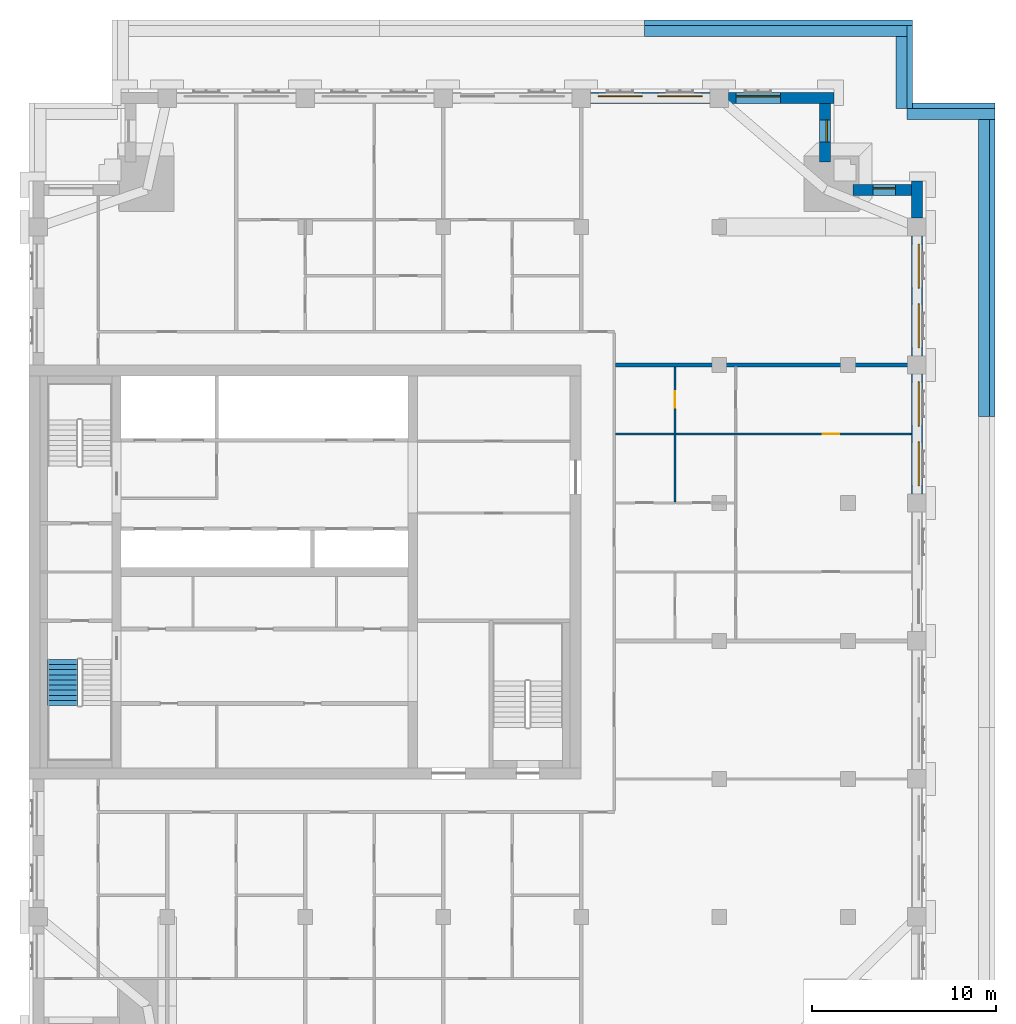
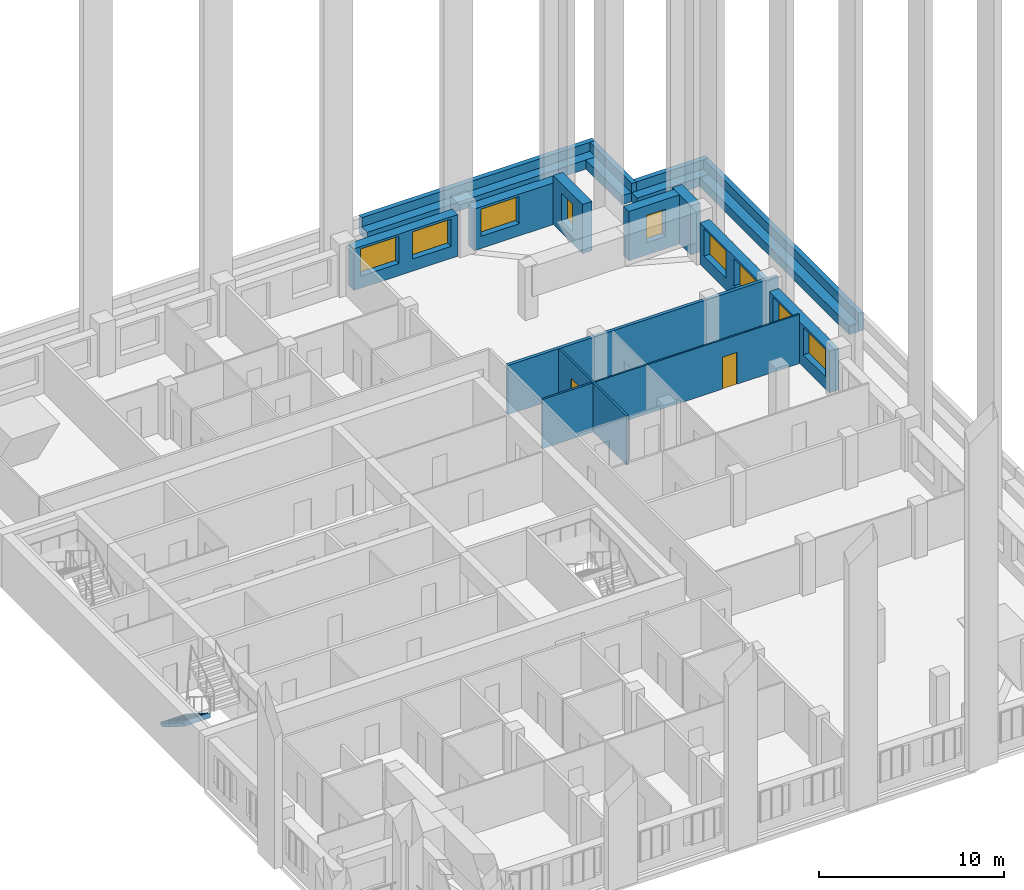
# One storey, part 8 of 12: 19 walls, 9 windows, 2 doors, 1 stair flight, 11 openings, 1 element without a shape of its own.
"""IFC4 building model written with IfcOpenShell, lengths in metres."""

from ifc_helpers import new_model, si_unit, direction, frame, frame_2d, origin, place, context, subcontext, project, spatial, polyline, rectangle, outline, extrude, material, layer, layer_set, type_object, element, fill, aggregate, save


model = new_model("IFC4")

# Units and contexts
model_context = context("Model", 3, precision=1e-05, world=origin(), true_north=direction((0.0, 1.0)))
body_context = subcontext(model_context, "Body", "Model", "MODEL_VIEW")
ifc_project = project(units=[si_unit("LENGTHUNIT", "METRE"), si_unit("AREAUNIT", "SQUARE_METRE"), si_unit("VOLUMEUNIT", "CUBIC_METRE"), si_unit("PLANEANGLEUNIT", "RADIAN"), si_unit("MASSUNIT", "GRAM", prefix="KILO")], contexts=[model_context])

# Site, building, storey
site_placement = place(None, origin())
site = spatial("IfcSite", under=ifc_project, at=site_placement, CompositionType="ELEMENT")
building_placement = place(site_placement, origin())
building = spatial("IfcBuilding", under=site, at=building_placement, Name="Tamorin Gate", CompositionType="ELEMENT")
storey_placement = place(building_placement, frame((0.0, 0.0, 219.699951171875)))
storey = spatial("IfcBuildingStorey", under=building, at=storey_placement, Name="L54", CompositionType="ELEMENT", Elevation=219.699951171875)

# Wall, openings, windows
ifc_material_1 = material(Name="Precast concrete C40/50", Category="concrete")
ifc_layer_1 = layer(ifc_material_1, 0.60009765625)
ifc_layer_set_1 = layer_set([ifc_layer_1], Name="Precast concrete C40/50")
wall_type_1 = type_object("IfcWallType", Name="Board-marked concrete facade panel 600", PredefinedType="SOLIDWALL", material=ifc_layer_set_1)
wall_1_placement = place(storey_placement, frame((78.25, 75.5, 0.0), z_axis=(0.0, 0.0, 1.0), x_axis=(0.0, 1.0, 0.0)))
wall_1 = element("IfcWall", 1, at=wall_1_placement, inside=storey, type_object=wall_type_1, Name="Facade panel", PredefinedType="SOLIDWALL", context=body_context, shape_type="SweptSolid", body=[
    extrude(rectangle(XDim=6.5, YDim=0.60009765625, at=frame_2d((3.25, 0.0))), origin(), (0.0, 0.0, 1.0), 2.75),
])
opening_1_placement = place(wall_1_placement, frame((0.425048828125, 0.0, 0.800048828125)))
opening_1 = element("IfcOpeningElement", 2, at=opening_1_placement, cuts=wall_1, Name="Opening WN1", PredefinedType="OPENING", context=body_context, shape_type="SweptSolid", body=[
    extrude(rectangle(XDim=2.39990234375, YDim=1.800048828125, at=frame_2d((1.199951171875, 0.89990234375))), frame((0.0, 0.31005859375, 0.0), z_axis=(0.0, -1.0, 0.0), x_axis=(1.0, 0.0, 0.0)), (0.0, 0.0, 1.0), 0.6201171875),
])
opening_2_placement = place(wall_1_placement, frame((3.675048828125, 0.0, 0.800048828125)))
opening_2 = element("IfcOpeningElement", 3, at=opening_2_placement, cuts=wall_1, Name="Opening WN1", PredefinedType="OPENING", context=body_context, shape_type="SweptSolid", body=[
    extrude(rectangle(XDim=2.39990234375, YDim=1.800048828125, at=frame_2d((1.199951171875, 0.89990234375))), frame((0.0, 0.31005859375, 0.0), z_axis=(0.0, -1.0, 0.0), x_axis=(1.0, 0.0, 0.0)), (0.0, 0.0, 1.0), 0.6201171875),
])
ifc_material_2 = material(Name="Clear glass in aluminium frame", Category="aluminium")
window_type_1 = type_object("IfcWindowType", Name="Deep-set window 2400x1800", PartitioningType="SINGLE_PANEL", PredefinedType="WINDOW", material=ifc_material_2)
window_1_placement = place(opening_1_placement, origin())
window_1 = element("IfcWindow", 4, at=window_1_placement, inside=storey, type_object=window_type_1, Name="Deep-set window", OverallHeight=1.800048828125, OverallWidth=2.39990234375, PartitioningType="SINGLE_PANEL", PredefinedType="WINDOW", context=body_context, shape_type="SweptSolid", body=[
    extrude(rectangle(XDim=2.39990234375, YDim=1.800048828125, at=frame_2d((1.199951171875, 0.89990234375))), frame((0.0, -0.070068359375, 0.0), z_axis=(0.0, -1.0, 0.0), x_axis=(1.0, 0.0, 0.0)), (0.0, 0.0, 1.0), 0.06005859375),
])
fill(opening_1, window_1)
window_2_placement = place(opening_2_placement, origin())
window_2 = element("IfcWindow", 5, at=window_2_placement, inside=storey, type_object=window_type_1, Name="Deep-set window", OverallHeight=1.800048828125, OverallWidth=2.39990234375, PartitioningType="SINGLE_PANEL", PredefinedType="WINDOW", context=body_context, shape_type="SweptSolid", body=[
    extrude(rectangle(XDim=2.39990234375, YDim=1.800048828125, at=frame_2d((1.199951171875, 0.89990234375))), frame((0.0, -0.070068359375, 0.0), z_axis=(0.0, -1.0, 0.0), x_axis=(1.0, 0.0, 0.0)), (0.0, 0.0, 1.0), 0.06005859375),
])
fill(opening_2, window_2)

wall_2_placement = place(storey_placement, frame((78.25, 83.0, 0.0), z_axis=(0.0, 0.0, 1.0), x_axis=(0.0, 1.0, 0.0)))
wall_2 = element("IfcWall", 6, at=wall_2_placement, inside=storey, type_object=wall_type_1, Name="Facade panel", PredefinedType="SOLIDWALL", context=body_context, shape_type="SweptSolid", body=[
    extrude(rectangle(XDim=6.5, YDim=0.60009765625, at=frame_2d((3.25, 0.0))), origin(), (0.0, 0.0, 1.0), 2.75),
])
opening_3_placement = place(wall_2_placement, frame((0.425048828125, 0.0, 0.800048828125)))
opening_3 = element("IfcOpeningElement", 7, at=opening_3_placement, cuts=wall_2, Name="Opening WN1", PredefinedType="OPENING", context=body_context, shape_type="SweptSolid", body=[
    extrude(rectangle(XDim=2.39990234375, YDim=1.800048828125, at=frame_2d((1.199951171875, 0.89990234375))), frame((0.0, 0.31005859375, 0.0), z_axis=(0.0, -1.0, 0.0), x_axis=(1.0, 0.0, 0.0)), (0.0, 0.0, 1.0), 0.6201171875),
])
opening_4_placement = place(wall_2_placement, frame((3.675048828125, 0.0, 0.800048828125)))
opening_4 = element("IfcOpeningElement", 8, at=opening_4_placement, cuts=wall_2, Name="Opening WN1", PredefinedType="OPENING", context=body_context, shape_type="SweptSolid", body=[
    extrude(rectangle(XDim=2.39990234375, YDim=1.800048828125, at=frame_2d((1.199951171875, 0.89990234375))), frame((0.0, 0.31005859375, 0.0), z_axis=(0.0, -1.0, 0.0), x_axis=(1.0, 0.0, 0.0)), (0.0, 0.0, 1.0), 0.6201171875),
])
window_3_placement = place(opening_3_placement, origin())
window_3 = element("IfcWindow", 9, at=window_3_placement, inside=storey, type_object=window_type_1, Name="Deep-set window", OverallHeight=1.800048828125, OverallWidth=2.39990234375, PartitioningType="SINGLE_PANEL", PredefinedType="WINDOW", context=body_context, shape_type="SweptSolid", body=[
    extrude(rectangle(XDim=2.39990234375, YDim=1.800048828125, at=frame_2d((1.199951171875, 0.89990234375))), frame((0.0, -0.070068359375, 0.0), z_axis=(0.0, -1.0, 0.0), x_axis=(1.0, 0.0, 0.0)), (0.0, 0.0, 1.0), 0.06005859375),
])
fill(opening_3, window_3)
window_4_placement = place(opening_4_placement, origin())
window_4 = element("IfcWindow", 10, at=window_4_placement, inside=storey, type_object=window_type_1, Name="Deep-set window", OverallHeight=1.800048828125, OverallWidth=2.39990234375, PartitioningType="SINGLE_PANEL", PredefinedType="WINDOW", context=body_context, shape_type="SweptSolid", body=[
    extrude(rectangle(XDim=2.39990234375, YDim=1.800048828125, at=frame_2d((1.199951171875, 0.89990234375))), frame((0.0, -0.070068359375, 0.0), z_axis=(0.0, -1.0, 0.0), x_axis=(1.0, 0.0, 0.0)), (0.0, 0.0, 1.0), 0.06005859375),
])
fill(opening_4, window_4)

# Wall
wall_3_placement = place(storey_placement, frame((78.25, 90.5, 0.0), z_axis=(0.0, 0.0, 1.0), x_axis=(0.0, 1.0, 0.0)))
element("IfcWall", 11, at=wall_3_placement, inside=storey, type_object=wall_type_1, Name="Facade panel", PredefinedType="SOLIDWALL", context=body_context, shape_type="SweptSolid", body=[
    extrude(rectangle(XDim=2.0, YDim=0.60009765625, at=frame_2d((1.0, 0.0))), origin(), (0.0, 0.0, 1.0), 3.25),
])

# Wall, opening, window
wall_4_placement = place(storey_placement, frame((77.949951171875, 92.0, 0.0), z_axis=(0.0, 0.0, 1.0), x_axis=(-1.0, 0.0, 0.0)))
wall_4 = element("IfcWall", 12, at=wall_4_placement, inside=storey, type_object=wall_type_1, Name="Facade panel", PredefinedType="SOLIDWALL", context=body_context, shape_type="SweptSolid", body=[
    extrude(rectangle(XDim=3.168701171875, YDim=0.60009765625, at=frame_2d((1.58447265625, 0.0))), origin(), (0.0, 0.0, 1.0), 3.25),
])
opening_5_placement = place(wall_4_placement, frame((0.875, 0.0, 0.800048828125)))
opening_5 = element("IfcOpeningElement", 13, at=opening_5_placement, cuts=wall_4, Name="Opening WN3", PredefinedType="OPENING", context=body_context, shape_type="SweptSolid", body=[
    extrude(rectangle(XDim=1.199951171875, YDim=1.800048828125, at=frame_2d((0.60009765625, 0.89990234375))), frame((0.0, 0.31005859375, 0.0), z_axis=(0.0, -1.0, 0.0), x_axis=(1.0, 0.0, 0.0)), (0.0, 0.0, 1.0), 0.6201171875),
])
window_type_2 = type_object("IfcWindowType", Name="Deep-set window 1200x1800", PartitioningType="SINGLE_PANEL", PredefinedType="WINDOW", material=ifc_material_2)
window_5_placement = place(opening_5_placement, origin())
window_5 = element("IfcWindow", 14, at=window_5_placement, inside=storey, type_object=window_type_2, Name="Deep-set window", OverallHeight=1.800048828125, OverallWidth=1.199951171875, PartitioningType="SINGLE_PANEL", PredefinedType="WINDOW", context=body_context, shape_type="SweptSolid", body=[
    extrude(rectangle(XDim=1.199951171875, YDim=1.800048828125, at=frame_2d((0.60009765625, 0.89990234375))), frame((0.0, -0.070068359375, 0.0), z_axis=(0.0, -1.0, 0.0), x_axis=(1.0, 0.0, 0.0)), (0.0, 0.0, 1.0), 0.06005859375),
])
fill(opening_5, window_5)

wall_5_placement = place(storey_placement, frame((73.25, 93.53125, 0.0), z_axis=(0.0, 0.0, 1.0), x_axis=(0.0, 1.0, 0.0)))
wall_5 = element("IfcWall", 15, at=wall_5_placement, inside=storey, type_object=wall_type_1, Name="Facade panel", PredefinedType="SOLIDWALL", context=body_context, shape_type="SweptSolid", body=[
    extrude(rectangle(XDim=3.168701171875, YDim=0.60009765625, at=frame_2d((1.58447265625, 0.0))), origin(), (0.0, 0.0, 1.0), 3.25),
])
opening_6_placement = place(wall_5_placement, frame((1.09375, 0.0, 0.800048828125)))
opening_6 = element("IfcOpeningElement", 16, at=opening_6_placement, cuts=wall_5, Name="Opening WN3", PredefinedType="OPENING", context=body_context, shape_type="SweptSolid", body=[
    extrude(rectangle(XDim=1.199951171875, YDim=1.800048828125, at=frame_2d((0.60009765625, 0.89990234375))), frame((0.0, 0.31005859375, 0.0), z_axis=(0.0, -1.0, 0.0), x_axis=(1.0, 0.0, 0.0)), (0.0, 0.0, 1.0), 0.6201171875),
])
window_6_placement = place(opening_6_placement, origin())
window_6 = element("IfcWindow", 17, at=window_6_placement, inside=storey, type_object=window_type_2, Name="Deep-set window", OverallHeight=1.800048828125, OverallWidth=1.199951171875, PartitioningType="SINGLE_PANEL", PredefinedType="WINDOW", context=body_context, shape_type="SweptSolid", body=[
    extrude(rectangle(XDim=1.199951171875, YDim=1.800048828125, at=frame_2d((0.60009765625, 0.89990234375))), frame((0.0, -0.070068359375, 0.0), z_axis=(0.0, -1.0, 0.0), x_axis=(1.0, 0.0, 0.0)), (0.0, 0.0, 1.0), 0.06005859375),
])
fill(opening_6, window_6)

wall_6_placement = place(storey_placement, frame((73.75, 97.0, 0.0), z_axis=(0.0, 0.0, 1.0), x_axis=(-1.0, 0.0, 0.0)))
wall_6 = element("IfcWall", 18, at=wall_6_placement, inside=storey, type_object=wall_type_1, Name="Facade panel", PredefinedType="SOLIDWALL", context=body_context, shape_type="SweptSolid", body=[
    extrude(rectangle(XDim=5.75, YDim=0.60009765625, at=frame_2d((2.875, 0.0))), origin(), (0.0, 0.0, 1.0), 2.75),
])
opening_7_placement = place(wall_6_placement, frame((2.925048828125, 0.0, 0.800048828125)))
opening_7 = element("IfcOpeningElement", 19, at=opening_7_placement, cuts=wall_6, Name="Opening WN1", PredefinedType="OPENING", context=body_context, shape_type="SweptSolid", body=[
    extrude(rectangle(XDim=2.39990234375, YDim=1.800048828125, at=frame_2d((1.199951171875, 0.89990234375))), frame((0.0, 0.31005859375, 0.0), z_axis=(0.0, -1.0, 0.0), x_axis=(1.0, 0.0, 0.0)), (0.0, 0.0, 1.0), 0.6201171875),
])
window_7_placement = place(opening_7_placement, origin())
window_7 = element("IfcWindow", 20, at=window_7_placement, inside=storey, type_object=window_type_1, Name="Deep-set window", OverallHeight=1.800048828125, OverallWidth=2.39990234375, PartitioningType="SINGLE_PANEL", PredefinedType="WINDOW", context=body_context, shape_type="SweptSolid", body=[
    extrude(rectangle(XDim=2.39990234375, YDim=1.800048828125, at=frame_2d((1.199951171875, 0.89990234375))), frame((0.0, -0.070068359375, 0.0), z_axis=(0.0, -1.0, 0.0), x_axis=(1.0, 0.0, 0.0)), (0.0, 0.0, 1.0), 0.06005859375),
])
fill(opening_7, window_7)

# Wall, openings, windows
wall_7_placement = place(storey_placement, frame((67.0, 97.0, 0.0), z_axis=(0.0, 0.0, 1.0), x_axis=(-1.0, 0.0, 0.0)))
wall_7 = element("IfcWall", 21, at=wall_7_placement, inside=storey, type_object=wall_type_1, Name="Facade panel", PredefinedType="SOLIDWALL", context=body_context, shape_type="SweptSolid", body=[
    extrude(rectangle(XDim=6.5, YDim=0.60009765625, at=frame_2d((3.25, 0.0))), origin(), (0.0, 0.0, 1.0), 2.75),
])
opening_8_placement = place(wall_7_placement, frame((3.675048828125, 0.0, 0.800048828125)))
opening_8 = element("IfcOpeningElement", 22, at=opening_8_placement, cuts=wall_7, Name="Opening WN1", PredefinedType="OPENING", context=body_context, shape_type="SweptSolid", body=[
    extrude(rectangle(XDim=2.39990234375, YDim=1.800048828125, at=frame_2d((1.199951171875, 0.89990234375))), frame((0.0, 0.31005859375, 0.0), z_axis=(0.0, -1.0, 0.0), x_axis=(1.0, 0.0, 0.0)), (0.0, 0.0, 1.0), 0.6201171875),
])
opening_9_placement = place(wall_7_placement, frame((0.425048828125, 0.0, 0.800048828125)))
opening_9 = element("IfcOpeningElement", 23, at=opening_9_placement, cuts=wall_7, Name="Opening WN1", PredefinedType="OPENING", context=body_context, shape_type="SweptSolid", body=[
    extrude(rectangle(XDim=2.39990234375, YDim=1.800048828125, at=frame_2d((1.199951171875, 0.89990234375))), frame((0.0, 0.31005859375, 0.0), z_axis=(0.0, -1.0, 0.0), x_axis=(1.0, 0.0, 0.0)), (0.0, 0.0, 1.0), 0.6201171875),
])
window_8_placement = place(opening_8_placement, origin())
window_8 = element("IfcWindow", 24, at=window_8_placement, inside=storey, type_object=window_type_1, Name="Deep-set window", OverallHeight=1.800048828125, OverallWidth=2.39990234375, PartitioningType="SINGLE_PANEL", PredefinedType="WINDOW", context=body_context, shape_type="SweptSolid", body=[
    extrude(rectangle(XDim=2.39990234375, YDim=1.800048828125, at=frame_2d((1.199951171875, 0.89990234375))), frame((0.0, -0.070068359375, 0.0), z_axis=(0.0, -1.0, 0.0), x_axis=(1.0, 0.0, 0.0)), (0.0, 0.0, 1.0), 0.06005859375),
])
fill(opening_8, window_8)
window_9_placement = place(opening_9_placement, origin())
window_9 = element("IfcWindow", 25, at=window_9_placement, inside=storey, type_object=window_type_1, Name="Deep-set window", OverallHeight=1.800048828125, OverallWidth=2.39990234375, PartitioningType="SINGLE_PANEL", PredefinedType="WINDOW", context=body_context, shape_type="SweptSolid", body=[
    extrude(rectangle(XDim=2.39990234375, YDim=1.800048828125, at=frame_2d((1.199951171875, 0.89990234375))), frame((0.0, -0.070068359375, 0.0), z_axis=(0.0, -1.0, 0.0), x_axis=(1.0, 0.0, 0.0)), (0.0, 0.0, 1.0), 0.06005859375),
])
fill(opening_9, window_9)

# Wall
ifc_material_3 = material(Name="Gypsum board partition")
ifc_layer_2 = layer(ifc_material_3, 0.199951171875)
ifc_layer_set_2 = layer_set([ifc_layer_2], Name="Demising wall 200")
wall_type_2 = type_object("IfcWallType", Name="Demising wall 200", PredefinedType="PARTITIONING", material=ifc_layer_set_2)
wall_8_placement = place(storey_placement, frame((61.875, 82.5, 0.0), z_axis=(0.0, 0.0, 1.0), x_axis=(1.0, 0.0, 0.0)))
element("IfcWall", 26, at=wall_8_placement, inside=storey, type_object=wall_type_2, Name="Demising wall 200", PredefinedType="PARTITIONING", context=body_context, shape_type="SweptSolid", body=[
    extrude(rectangle(XDim=16.875, YDim=0.199951171875, at=frame_2d((8.4375, 0.0))), origin(), (0.0, 0.0, 1.0), 3.25),
])

# Wall, opening, door
ifc_layer_3 = layer(ifc_material_3, 0.10009765625)
ifc_layer_set_3 = layer_set([ifc_layer_3], Name="Room partition 100")
wall_type_3 = type_object("IfcWallType", Name="Room partition 100", PredefinedType="PARTITIONING", material=ifc_layer_set_3)
wall_9_placement = place(storey_placement, frame((65.16259765625, 78.75, 0.0), z_axis=(0.0, 0.0, 1.0), x_axis=(1.0, 0.0, 0.0)))
wall_9 = element("IfcWall", 27, at=wall_9_placement, inside=storey, type_object=wall_type_3, Name="Room partition 100", PredefinedType="PARTITIONING", context=body_context, shape_type="SweptSolid", body=[
    extrude(rectangle(XDim=12.77734375, YDim=0.10009765625, at=frame_2d((6.388671875, 0.0))), origin(), (0.0, 0.0, 1.0), 3.25),
])
opening_10_placement = place(wall_9_placement, frame((7.96240234375, 0.0, 0.0)))
opening_10 = element("IfcOpeningElement", 28, at=opening_10_placement, cuts=wall_9, Name="Opening DTF5043", PredefinedType="OPENING", context=body_context, shape_type="SweptSolid", body=[
    extrude(rectangle(XDim=0.89990234375, YDim=2.10009765625, at=frame_2d((0.449951171875, 1.050048828125))), frame((0.0, 0.06005859375, 0.0), z_axis=(0.0, -1.0, 0.0), x_axis=(1.0, 0.0, 0.0)), (0.0, 0.0, 1.0), 0.1201171875),
])
ifc_material_4 = material(Name="Timber door leaf", Category="wood")
door_type = type_object("IfcDoorType", Name="Door 900 x 2100", OperationType="NOTDEFINED", PredefinedType="DOOR", material=ifc_material_4)
door_1_placement = place(opening_10_placement, origin())
door_1 = element("IfcDoor", 29, at=door_1_placement, inside=storey, type_object=door_type, Name="Door DTF5043", OperationType="SINGLE_SWING_LEFT", OverallHeight=2.10009765625, OverallWidth=0.89990234375, PredefinedType="DOOR", context=body_context, shape_type="SweptSolid", body=[
    extrude(rectangle(XDim=0.89990234375, YDim=2.10009765625, at=frame_2d((0.449951171875, 1.050048828125))), frame((0.0, 0.02490234375, 0.0), z_axis=(0.0, -1.0, 0.0), x_axis=(1.0, 0.0, 0.0)), (0.0, 0.0, 1.0), 0.050048828125),
])
fill(opening_10, door_1)

# Walls
ifc_layer_4 = layer(ifc_material_1, 0.300048828125)
ifc_layer_set_4 = layer_set([ifc_layer_4], Name="Terrace parapet 300")
wall_type_4 = type_object("IfcWallType", Name="Terrace parapet 300", PredefinedType="PARAPET", material=ifc_layer_set_4)
wall_10_placement = place(storey_placement, frame((63.449951171875, 101.10009765625, 0.0), z_axis=(0.0, 0.0, 1.0), x_axis=(1.0, 0.0, 0.0)))
element("IfcWall", 30, at=wall_10_placement, inside=storey, type_object=wall_type_4, Name="Terrace parapet", PredefinedType="PARAPET", context=body_context, shape_type="SweptSolid", body=[
    extrude(rectangle(XDim=14.550048828125, YDim=0.300048828125, at=frame_2d((7.27490234375, 0.0))), origin(), (0.0, 0.0, 1.0), 1.199951171875),
])
for number, where, z_axis, x_axis, name in (
    (31, (77.85009765625, 96.449951171875, 0.0), (0.0, 0.0, 1.0), (0.0, 1.0, 0.0), "Terrace parapet"),
    (32, (78.0, 96.60009765625, 0.0), (0.0, 0.0, 1.0), (1.0, 0.0, 0.0), "Terrace parapet"),
):
    element("IfcWall", number, at=place(storey_placement, frame(where, z_axis=z_axis, x_axis=x_axis)), inside=storey, type_object=wall_type_4, Name=name, PredefinedType="PARAPET", context=body_context, shape_type="SweptSolid", body=[
        extrude(rectangle(XDim=4.5, YDim=0.300048828125, at=frame_2d((2.25, 0.0))), origin(), (0.0, 0.0, 1.0), 1.199951171875),
    ])
wall_11_placement = place(storey_placement, frame((82.35009765625, 79.699951171875, 0.0), z_axis=(0.0, 0.0, 1.0), x_axis=(0.0, 1.0, 0.0)))
element("IfcWall", 33, at=wall_11_placement, inside=storey, type_object=wall_type_4, Name="Terrace parapet", PredefinedType="PARAPET", context=body_context, shape_type="SweptSolid", body=[
    extrude(rectangle(XDim=16.75, YDim=0.300048828125, at=frame_2d((8.375, 0.0))), origin(), (0.0, 0.0, 1.0), 1.199951171875),
])
ifc_layer_5 = layer(ifc_material_1, 0.60009765625)
ifc_layer_set_5 = layer_set([ifc_layer_5], Name="Terrace planter wall 600")
wall_type_5 = type_object("IfcWallType", Name="Terrace planter wall 600", PredefinedType="STANDARD", material=ifc_layer_set_5)
wall_12_placement = place(storey_placement, frame((63.449951171875, 100.64990234375, 0.0), z_axis=(0.0, 0.0, 1.0), x_axis=(1.0, 0.0, 0.0)))
element("IfcWall", 34, at=wall_12_placement, inside=storey, type_object=wall_type_5, Name="PLANTER wall", PredefinedType="STANDARD", context=body_context, shape_type="SweptSolid", body=[
    extrude(rectangle(XDim=14.550048828125, YDim=0.60009765625, at=frame_2d((7.27490234375, 0.0))), origin(), (0.0, 0.0, 1.0), 0.60009765625),
])
wall_13_placement = place(storey_placement, frame((77.39990234375, 96.449951171875, 0.0), z_axis=(0.0, 0.0, 1.0), x_axis=(0.0, 1.0, 0.0)))
element("IfcWall", 35, at=wall_13_placement, inside=storey, type_object=wall_type_5, Name="PLANTER wall", PredefinedType="STANDARD", context=body_context, shape_type="SweptSolid", body=[
    extrude(rectangle(XDim=3.900146484375, YDim=0.60009765625, at=frame_2d((1.9501953125, 0.0))), origin(), (0.0, 0.0, 1.0), 0.60009765625),
])
wall_14_placement = place(storey_placement, frame((77.699951171875, 96.14990234375, 0.0), z_axis=(0.0, 0.0, 1.0), x_axis=(1.0, 0.0, 0.0)))
element("IfcWall", 36, at=wall_14_placement, inside=storey, type_object=wall_type_5, Name="PLANTER wall", PredefinedType="STANDARD", context=body_context, shape_type="SweptSolid", body=[
    extrude(rectangle(XDim=4.800048828125, YDim=0.60009765625, at=frame_2d((2.39990234375, 0.0))), origin(), (0.0, 0.0, 1.0), 0.60009765625),
])
wall_15_placement = place(storey_placement, frame((81.89990234375, 95.85009765625, 0.0), z_axis=(0.0, 0.0, 1.0), x_axis=(0.0, -1.0, 0.0)))
element("IfcWall", 37, at=wall_15_placement, inside=storey, type_object=wall_type_5, Name="PLANTER wall", PredefinedType="STANDARD", context=body_context, shape_type="SweptSolid", body=[
    extrude(rectangle(XDim=16.150146484375, YDim=0.60009765625, at=frame_2d((8.0751953125, 0.0))), origin(), (0.0, 0.0, 1.0), 0.60009765625),
])
ifc_layer_6 = layer(ifc_material_3, 0.125)
ifc_layer_set_6 = layer_set([ifc_layer_6], Name="Wet wall 125")
wall_type_6 = type_object("IfcWallType", Name="Wet wall 125", PredefinedType="PARTITIONING", material=ifc_layer_set_6)
wall_16_placement = place(storey_placement, frame((61.875, 78.75, 0.0), z_axis=(0.0, 0.0, 1.0), x_axis=(1.0, 0.0, 0.0)))
element("IfcWall", 38, at=wall_16_placement, inside=storey, type_object=wall_type_6, Name="Wet wall 125", PredefinedType="PARTITIONING", context=body_context, shape_type="SweptSolid", body=[
    extrude(rectangle(XDim=3.16259765625, YDim=0.125, at=frame_2d((1.581298828125, 0.0))), origin(), (0.0, 0.0, 1.0), 3.25),
])

# Wall, opening, door
wall_17_placement = place(storey_placement, frame((65.10009765625, 75.0625, 0.0), z_axis=(0.0, 0.0, 1.0), x_axis=(0.0, 1.0, 0.0)))
wall_17 = element("IfcWall", 39, at=wall_17_placement, inside=storey, type_object=wall_type_6, Name="Wet wall 125", PredefinedType="PARTITIONING", context=body_context, shape_type="SweptSolid", body=[
    extrude(rectangle(XDim=7.33740234375, YDim=0.125, at=frame_2d((3.668701171875, 0.0))), origin(), (0.0, 0.0, 1.0), 3.25),
])
opening_11_placement = place(wall_17_placement, frame((5.112548828125, 0.0, 0.0)))
opening_11 = element("IfcOpeningElement", 40, at=opening_11_placement, cuts=wall_17, Name="Opening DTF5041", PredefinedType="OPENING", context=body_context, shape_type="SweptSolid", body=[
    extrude(rectangle(XDim=0.89990234375, YDim=2.10009765625, at=frame_2d((0.449951171875, 1.050048828125))), frame((0.0, 0.072509765625, 0.0), z_axis=(0.0, -1.0, 0.0), x_axis=(1.0, 0.0, 0.0)), (0.0, 0.0, 1.0), 0.14501953125),
])
door_2_placement = place(opening_11_placement, origin())
door_2 = element("IfcDoor", 41, at=door_2_placement, inside=storey, type_object=door_type, Name="Door DTF5041", OperationType="SINGLE_SWING_LEFT", OverallHeight=2.10009765625, OverallWidth=0.89990234375, PredefinedType="DOOR", context=body_context, shape_type="SweptSolid", body=[
    extrude(rectangle(XDim=0.89990234375, YDim=2.10009765625, at=frame_2d((0.449951171875, 1.050048828125))), frame((0.0, 0.02490234375, 0.0), z_axis=(0.0, -1.0, 0.0), x_axis=(1.0, 0.0, 0.0)), (0.0, 0.0, 1.0), 0.050048828125),
])
fill(opening_11, door_2)

# Stair, stair flight
ifc_material_5 = material(Name="Concrete C40/50", Category="concrete")
stair_type = type_object("IfcStairType", Name="Exit stair", PredefinedType="HALF_TURN_STAIR", material=ifc_material_5)
stair_placement = place(storey_placement, origin())
stair = element("IfcStair", 42, at=stair_placement, inside=storey, type_object=stair_type, Name="L54 stair ST1", PredefinedType="HALF_TURN_STAIR")
stair_flight_type = type_object("IfcStairFlightType", Name="Exit stair flight", PredefinedType="STRAIGHT", material=ifc_material_5)
stair_flight_placement = place(storey_placement, frame((31.824951171875, 66.5, 0.0), z_axis=(0.0, 0.0, 1.0), x_axis=(0.0, -1.0, 0.0)))
stair_flight = element("IfcStairFlight", 43, at=stair_flight_placement, type_object=stair_flight_type, Name="ST1 flight 1", NumberOfRisers=10, NumberOfTreads=9, PredefinedType="STRAIGHT", RiserHeight=0.175, TreadLength=0.28, context=body_context, shape_type="SweptSolid", body=[
    extrude(outline(polyline([(-0.00048828125, 0.0), (-0.00048828125, 0.001708984375), (-0.00048828125, 0.00341796875), (-0.00048828125, 0.005126953125), (-0.00048828125, 0.0068359375), (-0.00048828125, 0.008544921875), (-0.00048828125, 0.010498046875), (-0.00048828125, 0.01220703125), (-0.00048828125, 0.013916015625), (-0.00048828125, 0.015625), (-0.00048828125, 0.017333984375), (-0.00048828125, 0.01904296875), (-0.00048828125, 0.020751953125), (-0.00048828125, 0.0224609375), (-0.00048828125, 0.024169921875), (-0.00048828125, 0.02587890625), (-0.00048828125, 0.02783203125), (-0.00048828125, 0.029541015625), (-0.00048828125, 0.03125), (-0.00048828125, 0.032958984375), (-0.00048828125, 0.03466796875), (-0.00048828125, 0.036376953125), (-0.00048828125, 0.0380859375), (-0.00048828125, 0.039794921875), (-0.00048828125, 0.04150390625), (-0.00048828125, 0.043212890625), (-0.00048828125, 0.045166015625), (-0.00048828125, 0.046875), (-0.00048828125, 0.048583984375), (-0.00048828125, 0.05029296875), (-0.00048828125, 0.052001953125), (-0.00048828125, 0.0537109375), (-0.00048828125, 0.055419921875), (-0.00048828125, 0.05712890625), (-0.00048828125, 0.058837890625), (-0.00048828125, 0.060546875), (-0.00048828125, 0.062255859375), (-0.00048828125, 0.064208984375), (-0.00048828125, 0.06591796875), (-0.00048828125, 0.067626953125), (-0.00048828125, 0.0693359375), (-0.00048828125, 0.071044921875), (-0.00048828125, 0.07275390625), (-0.00048828125, 0.074462890625), (-0.00048828125, 0.076171875), (-0.00048828125, 0.077880859375), (-0.00048828125, 0.07958984375), (-0.00048828125, 0.08154296875), (-0.00048828125, 0.083251953125), (-0.00048828125, 0.0849609375), (-0.00048828125, 0.086669921875), (-0.00048828125, 0.08837890625), (-0.00048828125, 0.090087890625), (-0.00048828125, 0.091796875), (-0.00048828125, 0.093505859375), (-0.00048828125, 0.09521484375), (-0.00048828125, 0.096923828125), (-0.00048828125, 0.098876953125), (-0.00048828125, 0.1005859375), (-0.00048828125, 0.102294921875), (-0.00048828125, 0.10400390625), (-0.00048828125, 0.105712890625), (-0.00048828125, 0.107421875), (-0.00048828125, 0.109130859375), (-0.00048828125, 0.11083984375), (-0.00048828125, 0.112548828125), (-0.00048828125, 0.1142578125), (-0.00048828125, 0.1162109375), (-0.00048828125, 0.117919921875), (-0.00048828125, 0.11962890625), (-0.00048828125, 0.121337890625), (-0.00048828125, 0.123046875), (-0.00048828125, 0.124755859375), (-0.00048828125, 0.12646484375), (-0.00048828125, 0.128173828125), (-0.00048828125, 0.1298828125), (-0.00048828125, 0.131591796875), (-0.00048828125, 0.13330078125), (-0.00048828125, 0.13525390625), (-0.00048828125, 0.136962890625), (-0.00048828125, 0.138671875), (-0.00048828125, 0.140380859375), (-0.00048828125, 0.14208984375), (-0.00048828125, 0.143798828125), (-0.00048828125, 0.1455078125), (-0.00048828125, 0.147216796875), (-0.00048828125, 0.14892578125), (-0.00048828125, 0.150634765625), (-0.00048828125, 0.152587890625), (-0.00048828125, 0.154296875), (-0.00048828125, 0.156005859375), (-0.00048828125, 0.15771484375), (-0.00048828125, 0.159423828125), (-0.00048828125, 0.1611328125), (-0.00048828125, 0.162841796875), (-0.00048828125, 0.16455078125), (-0.00048828125, 0.166259765625), (-0.00048828125, 0.16796875), (-0.00048828125, 0.169921875), (-0.00048828125, 0.171630859375), (-0.00048828125, 0.17333984375), (-0.00048828125, 0.175048828125), (0.280029296875, 0.175048828125), (0.280029296875, 0.35009765625), (0.56005859375, 0.35009765625), (0.56005859375, 0.52490234375), (0.840087890625, 0.52490234375), (0.840087890625, 0.699951171875), (1.1201171875, 0.699951171875), (1.1201171875, 0.875), (1.39990234375, 0.875), (1.39990234375, 1.050048828125), (1.679931640625, 1.050048828125), (1.679931640625, 1.22509765625), (1.9599609375, 1.22509765625), (1.9599609375, 1.39990234375), (2.239990234375, 1.39990234375), (2.239990234375, 1.574951171875), (2.52001953125, 1.574951171875), (2.52001953125, 1.75), (2.5205078125, 1.75), (2.5205078125, 1.74658203125), (2.5205078125, 1.742919921875), (2.5205078125, 1.739501953125), (2.5205078125, 1.736083984375), (2.5205078125, 1.732666015625), (2.5205078125, 1.72900390625), (2.5205078125, 1.7255859375), (2.5205078125, 1.72216796875), (2.5205078125, 1.71875), (2.5205078125, 1.715087890625), (2.5205078125, 1.711669921875), (2.5205078125, 1.708251953125), (2.5205078125, 1.704833984375), (2.5205078125, 1.701171875), (2.5205078125, 1.69775390625), (2.5205078125, 1.6943359375), (2.5205078125, 1.690673828125), (2.5205078125, 1.687255859375), (2.5205078125, 1.683837890625), (2.5205078125, 1.680419921875), (2.5205078125, 1.6767578125), (2.5205078125, 1.67333984375), (2.5205078125, 1.669921875), (2.5205078125, 1.66650390625), (2.5205078125, 1.662841796875), (2.5205078125, 1.659423828125), (2.5205078125, 1.656005859375), (2.5205078125, 1.652587890625), (2.5205078125, 1.64892578125), (2.5205078125, 1.6455078125), (2.5205078125, 1.64208984375), (2.5205078125, 1.638427734375), (2.5205078125, 1.635009765625), (2.5205078125, 1.631591796875), (2.5205078125, 1.628173828125), (2.5205078125, 1.62451171875), (2.5205078125, 1.62109375), (2.5205078125, 1.61767578125), (2.5205078125, 1.6142578125), (2.5205078125, 1.610595703125), (2.5205078125, 1.607177734375), (2.5205078125, 1.603759765625), (2.5205078125, 1.600341796875), (2.5205078125, 1.5966796875), (2.5205078125, 1.59326171875), (2.5205078125, 1.58984375), (2.5205078125, 1.58642578125), (2.5205078125, 1.582763671875), (2.5205078125, 1.579345703125), (2.5205078125, 1.575927734375), (2.5205078125, 1.572265625), (2.5205078125, 1.56884765625), (2.5205078125, 1.5654296875), (2.5205078125, 1.56201171875), (2.5205078125, 1.558349609375), (2.5205078125, 1.554931640625), (2.5205078125, 1.551513671875), (2.5205078125, 1.548095703125), (2.5205078125, 1.54443359375), (2.5205078125, 1.541015625), (2.5205078125, 1.53759765625), (2.5205078125, 1.5341796875), (2.5205078125, 1.530517578125), (2.5205078125, 1.527099609375), (2.5205078125, 1.523681640625), (2.5205078125, 1.52001953125), (2.5205078125, 1.5166015625), (2.5205078125, 1.51318359375), (2.5205078125, 1.509765625), (2.5205078125, 1.506103515625), (2.5205078125, 1.502685546875), (2.5205078125, 1.499267578125), (2.5205078125, 1.495849609375), (2.5205078125, 1.4921875), (2.5205078125, 1.48876953125), (2.5205078125, 1.4853515625), (2.5205078125, 1.48193359375), (2.5205078125, 1.478271484375), (2.5205078125, 1.474853515625), (2.5205078125, 1.471435546875), (2.5205078125, 1.4677734375), (2.5205078125, 1.46435546875), (2.5205078125, 1.4609375), (2.5205078125, 1.45751953125), (2.5205078125, 1.453857421875), (2.5205078125, 1.450439453125), (2.5205078125, 1.447021484375), (2.5205078125, 1.443603515625), (2.5205078125, 1.43994140625), (2.5205078125, 1.4365234375), (2.5205078125, 1.43310546875), (2.5205078125, 1.4296875), (2.5205078125, 1.426025390625), (2.5205078125, 1.422607421875), (2.5205078125, 1.419189453125), (2.5205078125, 1.41552734375), (2.5205078125, 1.412109375), (2.5205078125, 1.40869140625), (2.5205078125, 1.4052734375), (2.5205078125, 1.401611328125), (2.5205078125, 1.398193359375), (2.52001953125, 1.398193359375), (0.28271484375, 0.0), (-0.00048828125, 0.0)])), frame((0.0, 0.824951171875, 0.0), z_axis=(0.0, -1.0, 0.0), x_axis=(1.0, 0.0, 0.0)), (0.0, 0.0, 1.0), 1.64990234375),
])
aggregate(stair, [stair_flight])

save(model, "model.ifc")
